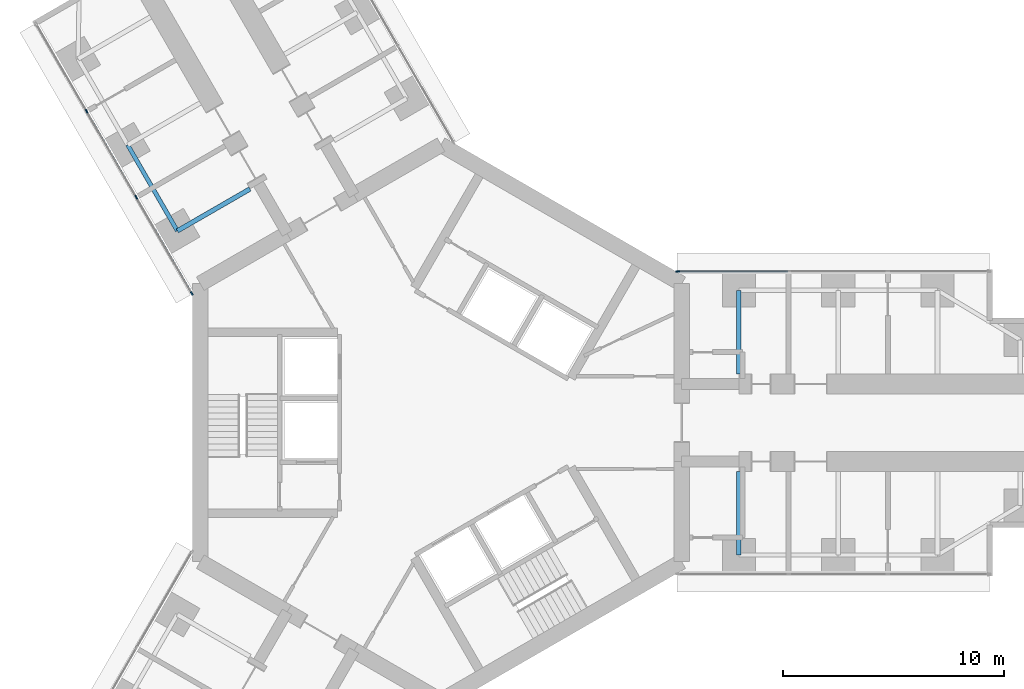
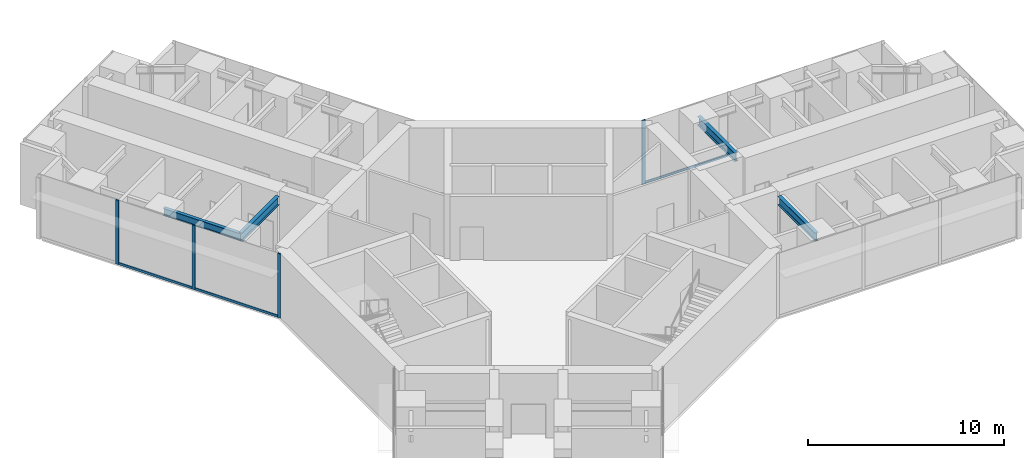
# One storey, part 6 of 22: 7 members, 4 beams, 2 elements without a shape of their own.
"""IFC4 building model written with IfcOpenShell, lengths in metres."""

from ifc_helpers import new_model, si_unit, direction, frame, origin, origin_2d, place, context, subcontext, project, spatial, rectangle, i_section, extrude, material, material_profile, profile_set, type_object, element, aggregate, save


model = new_model("IFC4")

# Units and contexts
model_context = context("Model", 3, precision=1e-05, world=origin(), true_north=direction((0.0, 1.0)))
body_context = subcontext(model_context, "Body", "Model", "MODEL_VIEW")
ifc_project = project(units=[si_unit("LENGTHUNIT", "METRE"), si_unit("AREAUNIT", "SQUARE_METRE"), si_unit("VOLUMEUNIT", "CUBIC_METRE"), si_unit("PLANEANGLEUNIT", "RADIAN"), si_unit("MASSUNIT", "GRAM", prefix="KILO")], contexts=[model_context])

# Site, building, storey
site_placement = place(None, origin())
site = spatial("IfcSite", under=ifc_project, at=site_placement, CompositionType="ELEMENT")
building_placement = place(site_placement, origin())
building = spatial("IfcBuilding", under=site, at=building_placement, Name="Upepo Twin Towers", CompositionType="ELEMENT")
storey_placement = place(building_placement, frame((0.0, 0.0, 36.5)))
storey = spatial("IfcBuildingStorey", under=building, at=storey_placement, Name="L08", CompositionType="ELEMENT", Elevation=36.5)

# Beams
ifc_material_1 = material(Name="Steel S355", Category="steel")
ifc_material_profile_1 = material_profile(ifc_material_1, i_section(OverallWidth=0.1904296875, OverallDepth=0.45703125, WebThickness=0.009033203125, FlangeThickness=0.014404296875, FilletRadius=0.01025390625, at=origin_2d()), Name="UB 457x191x74")
ifc_profile_set_1 = profile_set([ifc_material_profile_1], Name="Steel S355")
beam_type_1 = type_object("IfcBeamType", Name="Beam UB 457x191x74", PredefinedType="BEAM", material=ifc_profile_set_1)
beam_1_placement = place(storey_placement, frame((-11.946044921875, 8.69140625, 3.571533203125), z_axis=(-0.500013631625, 0.866017533419, 0.0), x_axis=(-0.866017533419, -0.500013631625, 0.0)))
element("IfcBeam", 1, at=beam_1_placement, inside=storey, type_object=beam_type_1, Name="T1 edge beam BL 13.5-18.0", PredefinedType="BEAM", context=body_context, shape_type="SweptSolid", body=[
    extrude(i_section(OverallWidth=0.1904296875, OverallDepth=0.45703125, WebThickness=0.009033203125, FlangeThickness=0.014404296875, FilletRadius=0.01025390625, at=origin_2d()), origin(), (0.0, 0.0, 1.0), 4.499755859375),
])
ifc_material_2 = material(Name="Steel S355", Category="steel")
ifc_material_profile_2 = material_profile(ifc_material_2, i_section(OverallWidth=0.209228515625, OverallDepth=0.533203125, WebThickness=0.010009765625, FlangeThickness=0.015625, FilletRadius=0.0126953125, at=origin_2d()), Name="UB 533x210x92")
ifc_profile_set_2 = profile_set([ifc_material_profile_2], Name="Steel S355")
beam_type_2 = type_object("IfcBeamType", Name="Beam UB 533x210x92", PredefinedType="BEAM", material=ifc_profile_set_2)
for number, where, z_axis, x_axis, name in (
    (2, (13.5, 6.0, 3.533447265625), (0.0, -1.0, 0.0), (1.0, 0.0, 0.0), "T1 girder AL at 13.5"),
    (3, (13.5, -6.0, 3.533447265625), (0.0, 1.0, 0.0), (-1.0, 0.0, 0.0), "T1 girder AR at 13.5"),
):
    element("IfcBeam", number, at=place(storey_placement, frame(where, z_axis=z_axis, x_axis=x_axis)), inside=storey, type_object=beam_type_2, Name=name, PredefinedType="BEAM", context=body_context, shape_type="SweptSolid", body=[
        extrude(i_section(OverallWidth=0.209228515625, OverallDepth=0.533203125, WebThickness=0.010009765625, FlangeThickness=0.015625, FilletRadius=0.0126953125, at=origin_2d()), origin(), (0.0, 0.0, 1.0), 3.800048828125),
    ])
beam_2_placement = place(storey_placement, frame((-11.946044921875, 8.69140625, 3.533447265625), z_axis=(0.866028304915, 0.499994975061, 0.0), x_axis=(-0.499994975061, 0.866028304915, 0.0)))
element("IfcBeam", 4, at=beam_2_placement, inside=storey, type_object=beam_type_2, Name="T1 girder BL at 13.5", PredefinedType="BEAM", context=body_context, shape_type="SweptSolid", body=[
    extrude(i_section(OverallWidth=0.209228515625, OverallDepth=0.533203125, WebThickness=0.010009765625, FlangeThickness=0.015625, FilletRadius=0.0126953125, at=origin_2d()), origin(), (0.0, 0.0, 1.0), 3.7998046875),
])

# Curtain wall, member
ifc_material_3 = material(Name="Aluminium and fritted glass", Category="aluminium")
curtain_wall_type = type_object("IfcCurtainWallType", Name="Tower curtain wall TW1, fritted glass", PredefinedType="NOTDEFINED", material=ifc_material_3)
curtain_wall_1_placement = place(storey_placement, origin())
curtain_wall_1 = element("IfcCurtainWall", 5, at=curtain_wall_1_placement, inside=storey, type_object=curtain_wall_type, Name="T1 L08 wing A flank L curtain wall", PredefinedType="NOTDEFINED")
ifc_material_4 = material(Name="Aluminium mullion", Category="aluminium")
ifc_material_profile_3 = material_profile(ifc_material_4, rectangle(XDim=0.06494140625, YDim=0.179931640625, at=origin_2d()), Name="MULLION 65x180")
ifc_profile_set_3 = profile_set([ifc_material_profile_3], Name="Aluminium mullion")
member_type_1 = type_object("IfcMemberType", Name="Mullion 65x180 TW1", PredefinedType="MULLION", material=ifc_profile_set_3)
member_1_placement = place(storey_placement, frame((10.7197265625, 6.85009765625, 0.0), z_axis=(0.0, 0.0, 1.0), x_axis=(0.0, 1.0, 0.0)))
member_1 = element("IfcMember", 6, at=member_1_placement, type_object=member_type_1, Name="T1 L08 wing A flank L curtain wall mullion 1", PredefinedType="MULLION", context=body_context, shape_type="SweptSolid", body=[
    extrude(rectangle(XDim=0.06494140625, YDim=0.179931640625, at=origin_2d()), origin(), (0.0, 0.0, 1.0), 4.0),
])

# Curtain wall, members
curtain_wall_2_placement = place(storey_placement, origin())
curtain_wall_2 = element("IfcCurtainWall", 7, at=curtain_wall_2_placement, inside=storey, type_object=curtain_wall_type, Name="T1 L08 wing B flank L curtain wall", PredefinedType="NOTDEFINED")
member_2_placement = place(storey_placement, frame((-11.2919921875, 5.8583984375, 0.0), z_axis=(0.0, 0.0, 1.0), x_axis=(-0.866025389682, -0.500000024426, 0.0)))
member_2 = element("IfcMember", 8, at=member_2_placement, type_object=member_type_1, Name="T1 L08 wing B flank L curtain wall mullion 1", PredefinedType="MULLION", context=body_context, shape_type="SweptSolid", body=[
    extrude(rectangle(XDim=0.06494140625, YDim=0.179931640625, at=origin_2d()), origin(), (0.0, 0.0, 1.0), 4.0),
])
member_3_placement = place(storey_placement, frame((-13.807373046875, 10.21484375, 0.0), z_axis=(0.0, 0.0, 1.0), x_axis=(-0.866025389682, -0.500000024426, 0.0)))
member_3 = element("IfcMember", 9, at=member_3_placement, type_object=member_type_1, Name="T1 L08 wing B flank L curtain wall mullion 2", PredefinedType="MULLION", context=body_context, shape_type="SweptSolid", body=[
    extrude(rectangle(XDim=0.06494140625, YDim=0.179931640625, at=origin_2d()), origin(), (0.0, 0.0, 1.0), 4.0),
])
member_4_placement = place(storey_placement, frame((-16.057373046875, 14.112060546875, 0.0), z_axis=(0.0, 0.0, 1.0), x_axis=(-0.866025389682, -0.500000024426, 0.0)))
member_4 = element("IfcMember", 10, at=member_4_placement, type_object=member_type_1, Name="T1 L08 wing B flank L curtain wall mullion 3", PredefinedType="MULLION", context=body_context, shape_type="SweptSolid", body=[
    extrude(rectangle(XDim=0.06494140625, YDim=0.179931640625, at=origin_2d()), origin(), (0.0, 0.0, 1.0), 4.0),
])

# Member
ifc_material_5 = material(Name="Aluminium transom", Category="aluminium")
ifc_material_profile_4 = material_profile(ifc_material_5, rectangle(XDim=0.06494140625, YDim=0.14990234375, at=origin_2d()), Name="TRANSOM 65x150")
ifc_profile_set_4 = profile_set([ifc_material_profile_4], Name="Aluminium transom")
member_type_2 = type_object("IfcMemberType", Name="Transom 65x150 TW1", PredefinedType="USERDEFINED", material=ifc_profile_set_4)
member_5_placement = place(storey_placement, frame((10.752197265625, 6.85009765625, 0.074951171875), z_axis=(1.0, 0.0, 0.0), x_axis=(0.0, 1.0, 0.0)))
member_5 = element("IfcMember", 11, at=member_5_placement, type_object=member_type_2, Name="T1 L08 wing A flank L curtain wall transom 1", ObjectType="TRANSOM", PredefinedType="USERDEFINED", context=body_context, shape_type="SweptSolid", body=[
    extrude(rectangle(XDim=0.06494140625, YDim=0.14990234375, at=origin_2d()), origin(), (0.0, 0.0, 1.0), 4.96533203125),
])

aggregate(curtain_wall_1, [member_1, member_5])

member_6_placement = place(storey_placement, frame((-11.308349609375, 5.88671875, 0.074951171875), z_axis=(-0.50000478328, 0.866022642139, 0.0), x_axis=(-0.866022642139, -0.50000478328, 0.0)))
member_6 = element("IfcMember", 12, at=member_6_placement, type_object=member_type_2, Name="T1 L08 wing B flank L curtain wall transom 1", ObjectType="TRANSOM", PredefinedType="USERDEFINED", context=body_context, shape_type="SweptSolid", body=[
    extrude(rectangle(XDim=0.06494140625, YDim=0.14990234375, at=origin_2d()), origin(), (0.0, 0.0, 1.0), 4.96533203125),
])

member_7_placement = place(storey_placement, frame((-13.823486328125, 10.2431640625, 0.074951171875), z_axis=(-0.500005184116, 0.866022410713, 0.0), x_axis=(-0.866022410713, -0.500005184116, 0.0)))
member_7 = element("IfcMember", 13, at=member_7_placement, type_object=member_type_2, Name="T1 L08 wing B flank L curtain wall transom 2", ObjectType="TRANSOM", PredefinedType="USERDEFINED", context=body_context, shape_type="SweptSolid", body=[
    extrude(rectangle(XDim=0.06494140625, YDim=0.14990234375, at=origin_2d()), origin(), (0.0, 0.0, 1.0), 4.43505859375),
])

aggregate(curtain_wall_2, [member_2, member_3, member_4, member_6, member_7])

save(model, "model.ifc")
